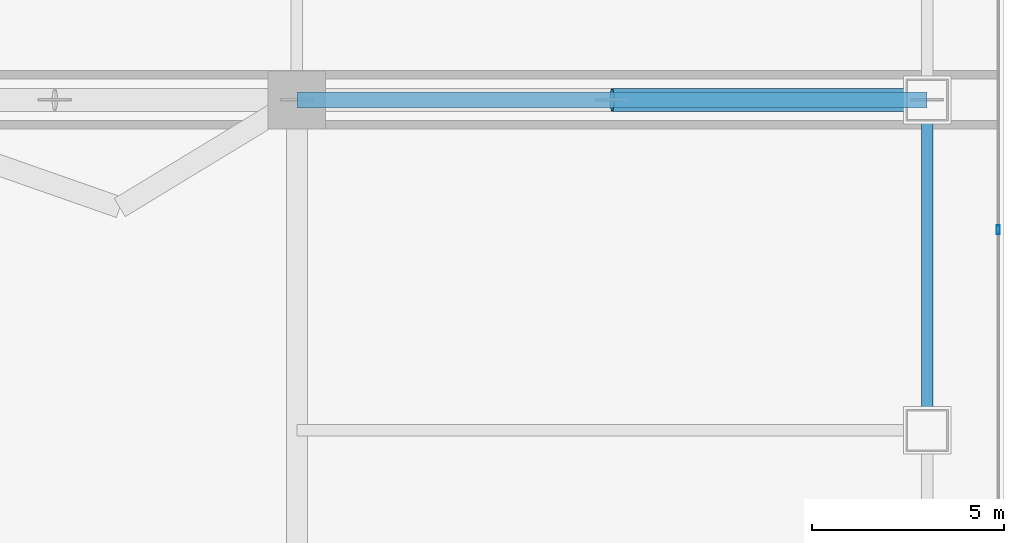
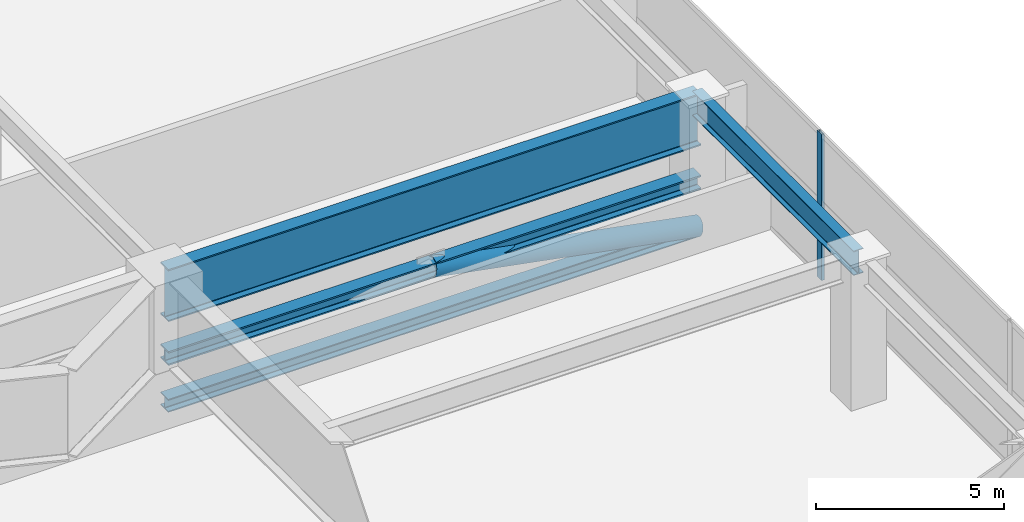
# One storey, part 25 of 36: 4 members, 2 beams, 1 element without a shape of its own.
"""IFC4 building model written with IfcOpenShell, lengths in metres."""

from ifc_helpers import new_model, si_unit, direction, frame, origin, origin_2d, place, context, subcontext, project, spatial, hollow_rectangle, hollow_circle, i_section, extrude, material, layer, layer_set, material_profile, profile_set, type_object, element, aggregate, save


model = new_model("IFC4")

# Units and contexts
model_context = context("Model", 3, precision=1e-05, world=origin(), true_north=direction((0.0, 1.0)))
body_context = subcontext(model_context, "Body", "Model", "MODEL_VIEW")
ifc_project = project(units=[si_unit("LENGTHUNIT", "METRE"), si_unit("AREAUNIT", "SQUARE_METRE"), si_unit("VOLUMEUNIT", "CUBIC_METRE"), si_unit("PLANEANGLEUNIT", "RADIAN"), si_unit("MASSUNIT", "GRAM", prefix="KILO")], contexts=[model_context])

# Site, building, storey
site_placement = place(None, origin())
site = spatial("IfcSite", under=ifc_project, at=site_placement, CompositionType="ELEMENT")
building_placement = place(site_placement, origin())
building = spatial("IfcBuilding", under=site, at=building_placement, Name="Calvorn Quay Hotel", CompositionType="ELEMENT")
storey_placement = place(building_placement, frame((0.0, 0.0, 22.0)))
storey = spatial("IfcBuildingStorey", under=building, at=storey_placement, Name="L04", CompositionType="ELEMENT", Elevation=22.0)

# Beams
ifc_material_1 = material(Name="Steel Q390GJC", Category="steel")
ifc_material_profile_1 = material_profile(ifc_material_1, i_section(OverallWidth=0.300048828125, OverallDepth=0.800048828125, WebThickness=0.013916015625, FlangeThickness=0.02587890625, FilletRadius=0.02392578125, at=origin_2d()), Name="HN800x300x14x26")
ifc_profile_set_1 = profile_set([ifc_material_profile_1], Name="Steel Q390GJC")
beam_type_1 = type_object("IfcBeamType", Name="BM-GIRD-POD", PredefinedType="BEAM", material=ifc_profile_set_1)
beam_1_placement = place(storey_placement, frame((74.0, 27.60009765625, 4.340087890625), z_axis=(0.0, 1.0, 0.0), x_axis=(-1.0, 0.0, 0.0)))
element("IfcBeam", 1, at=beam_1_placement, inside=storey, type_object=beam_type_1, Name="Beam BG-L04-PE3", PredefinedType="BEAM", context=body_context, shape_type="SweptSolid", body=[
    extrude(i_section(OverallWidth=0.300048828125, OverallDepth=0.800048828125, WebThickness=0.013916015625, FlangeThickness=0.02587890625, FilletRadius=0.02392578125, at=origin_2d()), origin(), (0.0, 0.0, 1.0), 8.599853515625),
])
ifc_material_2 = material(Name="Steel Q420GJC", Category="steel")
ifc_material_profile_2 = material_profile(ifc_material_2, i_section(OverallWidth=0.419921875, OverallDepth=1.699951171875, WebThickness=0.02392578125, FlangeThickness=0.0419921875, FilletRadius=0.02392578125, at=origin_2d()), Name="HN1700x420x24x42")
ifc_profile_set_2 = profile_set([ifc_material_profile_2], Name="Steel Q420GJC")
beam_type_2 = type_object("IfcBeamType", Name="BM-XFER-SAWTOOTH", PredefinedType="BEAM", material=ifc_profile_set_2)
beam_2_placement = place(storey_placement, frame((57.60009765625, 36.199951171875, 3.889892578125), z_axis=(1.0, 0.0, 0.0), x_axis=(0.0, 1.0, 0.0)))
element("IfcBeam", 2, at=beam_2_placement, inside=storey, type_object=beam_type_2, Name="Beam BTG-L04-N3", PredefinedType="BEAM", context=body_context, shape_type="SweptSolid", body=[
    extrude(i_section(OverallWidth=0.419921875, OverallDepth=1.699951171875, WebThickness=0.02392578125, FlangeThickness=0.0419921875, FilletRadius=0.02392578125, at=origin_2d()), origin(), (0.0, 0.0, 1.0), 16.39990234375),
])

# Curtain wall, member
ifc_material_3 = material(Name="Pale Anodised Aluminium and Low-E Glass", Category="aluminium")
ifc_layer = layer(ifc_material_3, 0.219970703125)
ifc_layer_set = layer_set([ifc_layer], Name="CW-SYS-POD")
curtain_wall_type = type_object("IfcCurtainWallType", Name="CW-SYS-POD", PredefinedType="NOTDEFINED", material=ifc_layer_set)
curtain_wall_placement = place(storey_placement, origin())
curtain_wall = element("IfcCurtainWall", 3, at=curtain_wall_placement, inside=storey, type_object=curtain_wall_type, Name="Podium Curtain Wall L04-E1", PredefinedType="NOTDEFINED")
ifc_material_4 = material(Name="Pale Anodised Aluminium 6063-T6", Category="aluminium")
ifc_material_profile_3 = material_profile(ifc_material_4, hollow_rectangle(XDim=0.080078125, YDim=0.239990234375, WallThickness=0.0048828125, at=origin_2d()), Name="ALU-M240x80x5")
ifc_profile_set_3 = profile_set([ifc_material_profile_3], Name="Pale Anodised Aluminium 6063-T6")
member_type_1 = type_object("IfcMemberType", Name="CW-SYS-POD-MUL", PredefinedType="MULLION", material=ifc_profile_set_3)
member_1_placement = place(storey_placement, frame((75.85009765625, 32.820068359375, 0.0), z_axis=(0.0, 0.0, 1.0), x_axis=(-1.0, 0.0, 0.0)))
member_1 = element("IfcMember", 4, at=member_1_placement, type_object=member_type_1, Name="CW-L04-E1 mullion 4", PredefinedType="MULLION", context=body_context, shape_type="SweptSolid", body=[
    extrude(hollow_rectangle(XDim=0.080078125, YDim=0.239990234375, WallThickness=0.0048828125, at=origin_2d()), origin(), (0.0, 0.0, 1.0), 4.760009765625),
])
aggregate(curtain_wall, [member_1])

# Members
ifc_material_5 = material(Name="Steel Q420GJC", Category="steel")
ifc_material_profile_4 = material_profile(ifc_material_5, i_section(OverallWidth=0.406982421875, OverallDepth=0.427978515625, WebThickness=0.02001953125, FlangeThickness=0.034912109375, FilletRadius=0.02197265625, at=origin_2d()), Name="HW428x407x20x35")
ifc_profile_set_4 = profile_set([ifc_material_profile_4], Name="Steel Q420GJC")
member_type_2 = type_object("IfcMemberType", Name="MEM-TRUSS-CHORD-BOT", PredefinedType="CHORD", material=ifc_profile_set_4)
member_2_placement = place(storey_placement, frame((57.60009765625, 36.199951171875, 0.300048828125), z_axis=(1.0, 0.0, 0.0), x_axis=(0.0, 1.0, 0.0)))
element("IfcMember", 5, at=member_2_placement, inside=storey, type_object=member_type_2, Name="Ballroom Transfer Bottom Chord MBC-T22", PredefinedType="CHORD", context=body_context, shape_type="SweptSolid", body=[
    extrude(i_section(OverallWidth=0.406982421875, OverallDepth=0.427978515625, WebThickness=0.02001953125, FlangeThickness=0.034912109375, FilletRadius=0.02197265625, at=origin_2d()), origin(), (0.0, 0.0, 1.0), 16.39990234375),
])
ifc_material_6 = material(Name="Steel Q420GJC", Category="steel")
ifc_material_profile_5 = material_profile(ifc_material_6, i_section(OverallWidth=0.4169921875, OverallDepth=0.4580078125, WebThickness=0.030029296875, FlangeThickness=0.050048828125, FilletRadius=0.02197265625, at=origin_2d()), Name="HW458x417x30x50")
ifc_profile_set_5 = profile_set([ifc_material_profile_5], Name="Steel Q420GJC")
member_type_3 = type_object("IfcMemberType", Name="MEM-TRUSS-CHORD-TOP", PredefinedType="CHORD", material=ifc_profile_set_5)
member_3_placement = place(storey_placement, frame((57.60009765625, 36.199951171875, 1.840087890625), z_axis=(1.0, 0.0, 0.0), x_axis=(0.0, 1.0, 0.0)))
element("IfcMember", 6, at=member_3_placement, inside=storey, type_object=member_type_3, Name="Ballroom Transfer Top Chord MTC-22", PredefinedType="CHORD", context=body_context, shape_type="SweptSolid", body=[
    extrude(i_section(OverallWidth=0.4169921875, OverallDepth=0.4580078125, WebThickness=0.030029296875, FlangeThickness=0.050048828125, FilletRadius=0.02197265625, at=origin_2d()), origin(), (0.0, 0.0, 1.0), 16.39990234375),
])
ifc_material_7 = material(Name="Steel Q420GJC", Category="steel")
ifc_material_profile_6 = material_profile(ifc_material_7, hollow_circle(Radius=0.300048828125, WallThickness=0.02392578125, at=origin_2d()), Name="CHS600x24")
ifc_profile_set_6 = profile_set([ifc_material_profile_6], Name="Steel Q420GJC")
member_type_4 = type_object("IfcMemberType", Name="MEM-TRUSS-DIAG-HVY", PredefinedType="BRACE", material=ifc_profile_set_6)
member_4_placement = place(storey_placement, frame((65.800048828125, 36.199951171875, 1.840087890625), z_axis=(0.982816821242, 0.0, -0.184583574252), x_axis=(0.0, 1.0, 0.0)))
element("IfcMember", 7, at=member_4_placement, inside=storey, type_object=member_type_4, Name="Ballroom Warren Diagonal MTD-22B", PredefinedType="BRACE", context=body_context, shape_type="SweptSolid", body=[
    extrude(hollow_circle(Radius=0.300048828125, WallThickness=0.02392578125, at=origin_2d()), origin(), (0.0, 0.0, 1.0), 8.34326171875),
])

save(model, "model.ifc")
